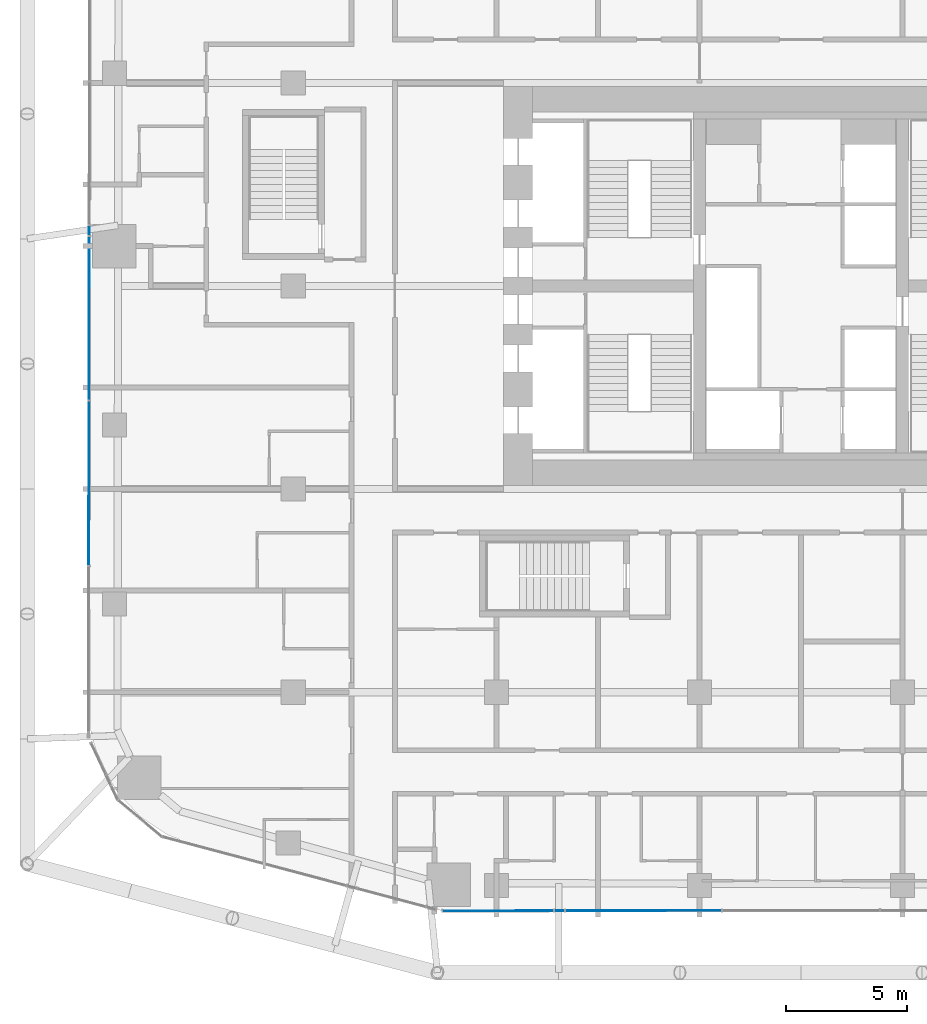
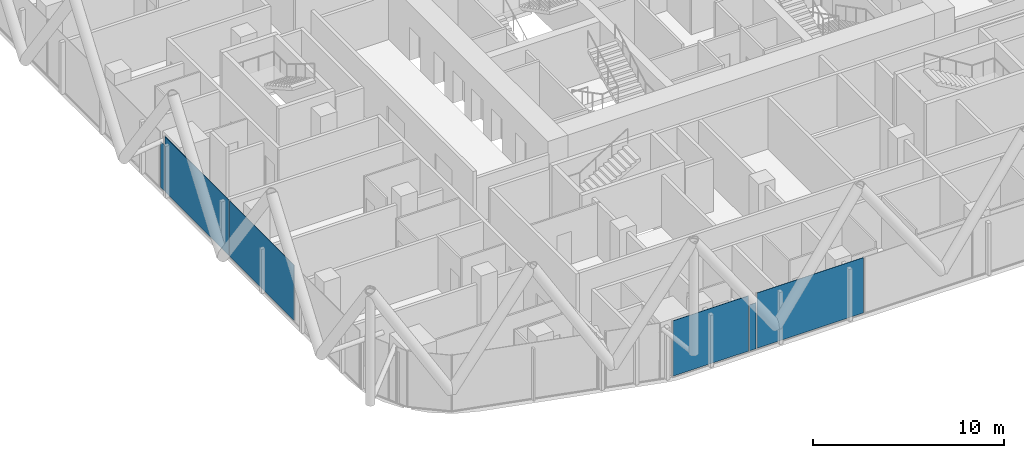
# One storey, part 20 of 38: 6 plates, 5 elements without a shape of their own.
"""IFC4 building model written with IfcOpenShell, lengths in metres."""

from ifc_helpers import new_model, si_unit, direction, frame, origin, origin_2d, place, context, subcontext, project, spatial, rectangle, extrude, material, layer, layer_set, type_object, element, aggregate, save


model = new_model("IFC4")

# Units and contexts
model_context = context("Model", 3, precision=1e-05, world=origin(), true_north=direction((0.0, 1.0)))
body_context = subcontext(model_context, "Body", "Model", "MODEL_VIEW")
ifc_project = project(units=[si_unit("LENGTHUNIT", "METRE"), si_unit("AREAUNIT", "SQUARE_METRE"), si_unit("VOLUMEUNIT", "CUBIC_METRE"), si_unit("PLANEANGLEUNIT", "RADIAN"), si_unit("MASSUNIT", "GRAM", prefix="KILO")], contexts=[model_context])

# Site, building, storey
site_placement = place(None, origin())
site = spatial("IfcSite", under=ifc_project, at=site_placement, CompositionType="ELEMENT")
building_placement = place(site_placement, origin())
building = spatial("IfcBuilding", under=site, at=building_placement, Name="Marenta Gate Hotel Tower", CompositionType="ELEMENT")
storey_placement = place(building_placement, frame((0.0, 0.0, 54.5)))
storey = spatial("IfcBuildingStorey", under=building, at=storey_placement, Name="L11", CompositionType="ELEMENT", Elevation=54.5)

# Curtain wall, plate
ifc_material_1 = material(Name="Tinted insulated glass in bronze anodised frame", Category="glass")
ifc_layer_1 = layer(ifc_material_1, 0.1201171875)
ifc_layer_set_1 = layer_set([ifc_layer_1], Name="Tinted insulated glass in bronze anodised frame")
curtain_wall_type = type_object("IfcCurtainWallType", Name="Tower unitised curtain wall CW1", PredefinedType="NOTDEFINED", material=ifc_layer_set_1)
curtain_wall_1_placement = place(storey_placement, origin())
curtain_wall_1 = element("IfcCurtainWall", 1, at=curtain_wall_1_placement, inside=storey, type_object=curtain_wall_type, Name="CW1 run G07", PredefinedType="NOTDEFINED")
ifc_material_2 = material(Name="Tinted insulated glass", Category="glass")
ifc_layer_2 = layer(ifc_material_2, 0.028076171875)
ifc_layer_set_2 = layer_set([ifc_layer_2], Name="Tinted insulated glass")
plate_type = type_object("IfcPlateType", Name="Glass panel CW1 28 mm tinted insulated unit", PredefinedType="CURTAIN_PANEL", material=ifc_layer_set_2)
plate_1_placement = place(storey_placement, frame((-29.4404296875, 10.701904296875, 0.06005859375), z_axis=(0.0, 0.0, 1.0), x_axis=(-0.001528048866, -0.999998832533, 0.0)))
plate_1 = element("IfcPlate", 2, at=plate_1_placement, type_object=plate_type, Name="CW1 panel 1.1", PredefinedType="CURTAIN_PANEL", context=body_context, shape_type="SweptSolid", body=[
    extrude(rectangle(XDim=0.398193359375, YDim=0.028076171875, at=origin_2d()), origin(), (0.0, 0.0, 1.0), 2.9404296875),
])
aggregate(curtain_wall_1, [plate_1])

# Curtain wall, plates
curtain_wall_2_placement = place(storey_placement, origin())
curtain_wall_2 = element("IfcCurtainWall", 3, at=curtain_wall_2_placement, inside=storey, type_object=curtain_wall_type, Name="CW1 run G08", PredefinedType="NOTDEFINED")
plate_2_placement = place(storey_placement, frame((-29.4462890625, 7.068359375, 0.06005859375), z_axis=(0.0, 0.0, 1.0), x_axis=(-0.00156461532, -0.999998775989, 0.0)))
plate_2 = element("IfcPlate", 4, at=plate_2_placement, type_object=plate_type, Name="CW1 panel 1.1", PredefinedType="CURTAIN_PANEL", context=body_context, shape_type="SweptSolid", body=[
    extrude(rectangle(XDim=6.748779296875, YDim=0.028076171875, at=origin_2d()), origin(), (0.0, 0.0, 1.0), 3.5400390625),
])
plate_3_placement = place(storey_placement, frame((-29.456787109375, 0.24462890625, 0.06005859375), z_axis=(0.0, 0.0, 1.0), x_axis=(-0.00156461532, -0.999998775989, 0.0)))
plate_3 = element("IfcPlate", 5, at=plate_3_placement, type_object=plate_type, Name="CW1 panel 2.1", PredefinedType="CURTAIN_PANEL", context=body_context, shape_type="SweptSolid", body=[
    extrude(rectangle(XDim=6.77880859375, YDim=0.028076171875, at=origin_2d()), origin(), (0.0, 0.0, 1.0), 3.5400390625),
])
aggregate(curtain_wall_2, [plate_2, plate_3])

# Curtain wall, plate
curtain_wall_3_placement = place(storey_placement, origin())
curtain_wall_3 = element("IfcCurtainWall", 6, at=curtain_wall_3_placement, inside=storey, type_object=curtain_wall_type, Name="CW1 run G18", PredefinedType="NOTDEFINED")
plate_4_placement = place(storey_placement, frame((-12.528076171875, -17.445068359375, 0.06005859375), z_axis=(0.0, 0.0, 1.0), x_axis=(0.999999318423, 0.001167541525, 0.0)))
plate_4 = element("IfcPlate", 7, at=plate_4_placement, type_object=plate_type, Name="CW1 panel 1.1", PredefinedType="CURTAIN_PANEL", context=body_context, shape_type="SweptSolid", body=[
    extrude(rectangle(XDim=4.565185546875, YDim=0.028076171875, at=origin_2d()), origin(), (0.0, 0.0, 1.0), 3.5400390625),
])
aggregate(curtain_wall_3, [plate_4])

curtain_wall_4_placement = place(storey_placement, origin())
curtain_wall_4 = element("IfcCurtainWall", 8, at=curtain_wall_4_placement, inside=storey, type_object=curtain_wall_type, Name="CW1 run G19", PredefinedType="NOTDEFINED")
plate_5_placement = place(storey_placement, frame((-9.989013671875, -17.442138671875, 0.06005859375), z_axis=(0.0, 0.0, 1.0), x_axis=(0.999999390865, 0.001103752086, 0.0)))
plate_5 = element("IfcPlate", 9, at=plate_5_placement, type_object=plate_type, Name="CW1 panel 1.1", PredefinedType="CURTAIN_PANEL", context=body_context, shape_type="SweptSolid", body=[
    extrude(rectangle(XDim=0.39306640625, YDim=0.028076171875, at=origin_2d()), origin(), (0.0, 0.0, 1.0), 2.9404296875),
])
aggregate(curtain_wall_4, [plate_5])

curtain_wall_5_placement = place(storey_placement, origin())
curtain_wall_5 = element("IfcCurtainWall", 10, at=curtain_wall_5_placement, inside=storey, type_object=curtain_wall_type, Name="CW1 run G20", PredefinedType="NOTDEFINED")
plate_6_placement = place(storey_placement, frame((-6.510986328125, -17.43798828125, 0.06005859375), z_axis=(0.0, 0.0, 1.0), x_axis=(0.999999323345, 0.001163317936, 0.0)))
plate_6 = element("IfcPlate", 11, at=plate_6_placement, type_object=plate_type, Name="CW1 panel 1.1", PredefinedType="CURTAIN_PANEL", context=body_context, shape_type="SweptSolid", body=[
    extrude(rectangle(XDim=6.443115234375, YDim=0.028076171875, at=origin_2d()), origin(), (0.0, 0.0, 1.0), 3.5400390625),
])
aggregate(curtain_wall_5, [plate_6])

save(model, "model.ifc")
